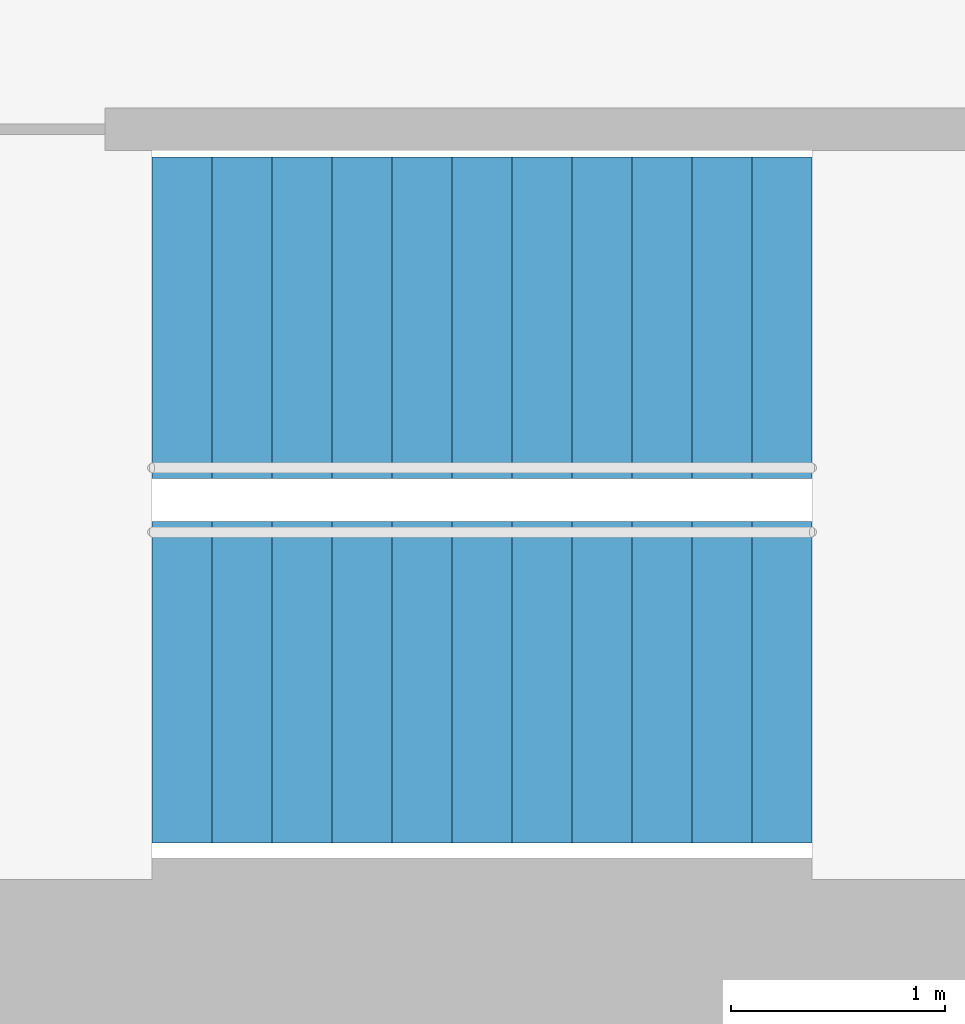
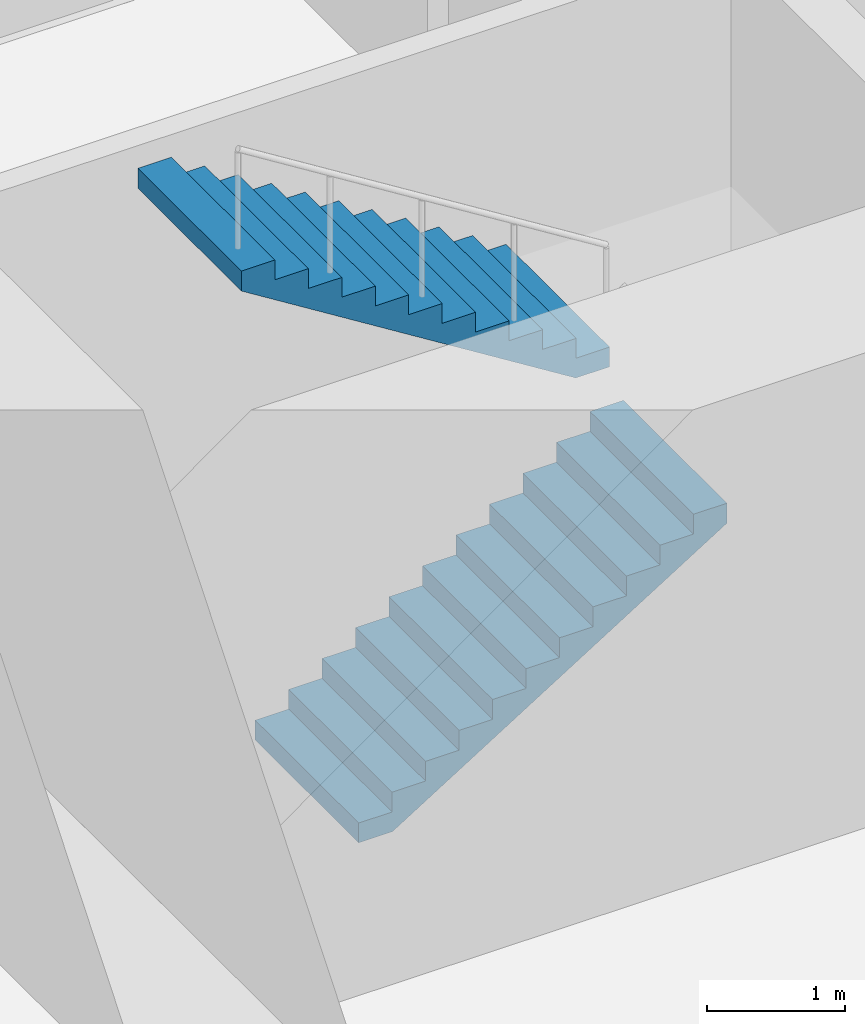
# One storey, part 16 of 18: 2 stair flights, 1 element without a shape of its own.
"""IFC4 building model written with IfcOpenShell, lengths in metres."""

from ifc_helpers import new_model, si_unit, direction, frame, origin, place, context, subcontext, project, spatial, triangles, material, type_object, element, aggregate, save


model = new_model("IFC4")

# Units and contexts
model_context = context("Model", 3, precision=1e-05, world=origin(), true_north=direction((0.0, 1.0)))
body_context = subcontext(model_context, "Body", "Model", "MODEL_VIEW")
ifc_project = project(units=[si_unit("LENGTHUNIT", "METRE"), si_unit("AREAUNIT", "SQUARE_METRE"), si_unit("VOLUMEUNIT", "CUBIC_METRE"), si_unit("PLANEANGLEUNIT", "RADIAN"), si_unit("MASSUNIT", "GRAM", prefix="KILO")], contexts=[model_context])

# Site, building, storey
site_placement = place(None, origin())
site = spatial("IfcSite", under=ifc_project, at=site_placement, CompositionType="ELEMENT")
building_placement = place(site_placement, origin())
building = spatial("IfcBuilding", under=site, at=building_placement, Name="Lantaw Convention Tower", CompositionType="ELEMENT")
storey_placement = place(building_placement, frame((0.0, 0.0, 138.39990234375)))
storey = spatial("IfcBuildingStorey", under=building, at=storey_placement, Name="L32", CompositionType="ELEMENT", Elevation=138.39990234375)

# Stair, stair flights
ifc_material = material(Name="Concrete C35/45", Category="concrete")
stair_type = type_object("IfcStairType", Name="Exit stair 1500 riser 175 in 2 flights", PredefinedType="HALF_TURN_STAIR", material=ifc_material)
stair_placement = place(storey_placement, origin())
stair = element("IfcStair", 1, at=stair_placement, inside=storey, type_object=stair_type, Name="Exit stair S1 L32", PredefinedType="HALF_TURN_STAIR")
stair_flight_type = type_object("IfcStairFlightType", Name="Stair flight 1500 riser 175", PredefinedType="STRAIGHT", material=ifc_material)
stair_flight_1_placement = place(storey_placement, frame((-10.580078125, -5.97998046875, 0.0), z_axis=(0.0, 0.0, 1.0), x_axis=(1.0, 0.0, 0.0)))
stair_flight_1 = element("IfcStairFlight", 2, at=stair_flight_1_placement, type_object=stair_flight_type, Name="S1 flight 1", NumberOfRisers=12, NumberOfTreads=11, PredefinedType="STRAIGHT", RiserHeight=0.175, TreadLength=0.28, context=body_context, shape_type="Tessellation", body=[
    triangles([(0.0, 0.75, 0.0), (0.0, 0.75, 0.175), (0.28, 0.75, 0.0), (0.28, 0.75, 0.175), (0.28, 0.75, 0.35), (0.28283517651771284, 0.75, 0.0), (0.28283517651771284, 0.75, 0.35), (0.56, 0.75, 0.17322801467642948), (0.56, 0.75, 0.35), (0.56, 0.75, 0.5249999999999999), (0.8400000000000001, 0.75, 0.34822801467642944), (0.8400000000000001, 0.75, 0.5249999999999999), (0.8400000000000001, 0.75, 0.7), (1.12, 0.75, 0.5232280146764294), (1.12, 0.75, 0.7), (1.12, 0.75, 0.875), (1.4000000000000001, 0.75, 0.6982280146764295), (1.4000000000000001, 0.75, 0.875), (1.4000000000000001, 0.75, 1.0499999999999998), (1.6800000000000002, 0.75, 0.8732280146764294), (1.6800000000000002, 0.75, 1.0499999999999998), (1.6800000000000002, 0.75, 1.2249999999999999), (1.9600000000000002, 0.75, 1.0482280146764293), (1.9600000000000002, 0.75, 1.2249999999999999), (1.9600000000000002, 0.75, 1.4), (2.24, 0.75, 1.2232280146764294), (2.24, 0.75, 1.4), (2.24, 0.75, 1.575), (2.5200000000000005, 0.75, 1.3982280146764294), (2.5200000000000005, 0.75, 1.575), (2.5200000000000005, 0.75, 1.75), (2.8000000000000003, 0.75, 1.5732280146764293), (2.8000000000000003, 0.75, 1.75), (2.8000000000000003, 0.75, 1.9249999999999998), (3.08, 0.75, 1.7482280146764293), (3.08, 0.75, 1.9249999999999998), (0.0, -0.75, 0.0), (0.0, -0.75, 0.175), (0.28, -0.75, 0.0), (0.28, -0.75, 0.175), (0.28, -0.75, 0.35), (0.28283517651771284, -0.75, 0.0), (0.28283517651771284, -0.75, 0.35), (0.56, -0.75, 0.17322801467642948), (0.56, -0.75, 0.35), (0.56, -0.75, 0.5249999999999999), (0.8400000000000001, -0.75, 0.34822801467642944), (0.8400000000000001, -0.75, 0.5249999999999999), (0.8400000000000001, -0.75, 0.7), (1.12, -0.75, 0.5232280146764294), (1.12, -0.75, 0.7), (1.12, -0.75, 0.875), (1.4000000000000001, -0.75, 0.6982280146764295), (1.4000000000000001, -0.75, 0.875), (1.4000000000000001, -0.75, 1.0499999999999998), (1.6800000000000002, -0.75, 0.8732280146764294), (1.6800000000000002, -0.75, 1.0499999999999998), (1.6800000000000002, -0.75, 1.2249999999999999), (1.9600000000000002, -0.75, 1.0482280146764293), (1.9600000000000002, -0.75, 1.2249999999999999), (1.9600000000000002, -0.75, 1.4), (2.24, -0.75, 1.2232280146764294), (2.24, -0.75, 1.4), (2.24, -0.75, 1.575), (2.5200000000000005, -0.75, 1.3982280146764294), (2.5200000000000005, -0.75, 1.575), (2.5200000000000005, -0.75, 1.75), (2.8000000000000003, -0.75, 1.5732280146764293), (2.8000000000000003, -0.75, 1.75), (2.8000000000000003, -0.75, 1.9249999999999998), (3.08, -0.75, 1.7482280146764293), (3.08, -0.75, 1.9249999999999998), (0.0, 0.15000000000000002, 0.175), (0.0, 0.15000000000000002, 0.0), (0.0, 0.0, 0.175), (0.0, 0.0, 0.0), (0.0, -0.15000000000000002, 0.175), (0.0, -0.15000000000000002, 0.0), (0.28, 0.15000000000000002, 0.35), (0.28, 0.15000000000000002, 0.175), (0.28, 0.0, 0.35), (0.28, 0.0, 0.175), (0.28, -0.15000000000000002, 0.35), (0.28, -0.15000000000000002, 0.175), (0.56, 0.15000000000000002, 0.5249999999999999), (0.56, 0.15000000000000002, 0.35), (0.56, 0.0, 0.5249999999999999), (0.56, 0.0, 0.35), (0.56, -0.15000000000000002, 0.5249999999999999), (0.56, -0.15000000000000002, 0.35), (0.8400000000000001, 0.15000000000000002, 0.7), (0.8400000000000001, 0.15000000000000002, 0.5249999999999999), (0.8400000000000001, 0.0, 0.7), (0.8400000000000001, 0.0, 0.5249999999999999), (0.8400000000000001, -0.15000000000000002, 0.7), (0.8400000000000001, -0.15000000000000002, 0.5249999999999999), (1.12, 0.15000000000000002, 0.875), (1.12, 0.15000000000000002, 0.7), (1.12, 0.0, 0.875), (1.12, 0.0, 0.7), (1.12, -0.15000000000000002, 0.875), (1.12, -0.15000000000000002, 0.7), (1.4000000000000001, 0.15000000000000002, 1.0499999999999998), (1.4000000000000001, 0.15000000000000002, 0.875), (1.4000000000000001, 0.0, 1.0499999999999998), (1.4000000000000001, 0.0, 0.875), (1.4000000000000001, -0.15000000000000002, 1.0499999999999998), (1.4000000000000001, -0.15000000000000002, 0.875), (1.6800000000000002, 0.15000000000000002, 1.2249999999999999), (1.6800000000000002, 0.15000000000000002, 1.0499999999999998), (1.6800000000000002, 0.0, 1.2249999999999999), (1.6800000000000002, 0.0, 1.0499999999999998), (1.6800000000000002, -0.15000000000000002, 1.2249999999999999), (1.6800000000000002, -0.15000000000000002, 1.0499999999999998), (1.9600000000000002, 0.15000000000000002, 1.4), (1.9600000000000002, 0.15000000000000002, 1.2249999999999999), (1.9600000000000002, 0.0, 1.4), (1.9600000000000002, 0.0, 1.2249999999999999), (1.9600000000000002, -0.15000000000000002, 1.4), (1.9600000000000002, -0.15000000000000002, 1.2249999999999999), (2.24, 0.15000000000000002, 1.575), (2.24, 0.15000000000000002, 1.4), (2.24, 0.0, 1.575), (2.24, 0.0, 1.4), (2.24, -0.15000000000000002, 1.575), (2.24, -0.15000000000000002, 1.4), (2.5200000000000005, 0.15000000000000002, 1.75), (2.5200000000000005, 0.15000000000000002, 1.575), (2.5200000000000005, 0.0, 1.75), (2.5200000000000005, 0.0, 1.575), (2.5200000000000005, -0.15000000000000002, 1.75), (2.5200000000000005, -0.15000000000000002, 1.575), (2.8000000000000003, 0.15000000000000002, 1.9249999999999998), (2.8000000000000003, 0.15000000000000002, 1.75), (2.8000000000000003, 0.0, 1.9249999999999998), (2.8000000000000003, 0.0, 1.75), (2.8000000000000003, -0.15000000000000002, 1.9249999999999998), (2.8000000000000003, -0.15000000000000002, 1.75), (0.28283517651771284, 0.15000000000000002, 0.35), (0.28283517651771284, 0.0, 0.35), (0.28283517651771284, -0.15000000000000002, 0.35), (3.08, 0.15000000000000002, 1.9249999999999998), (3.08, 0.0, 1.9249999999999998), (3.08, -0.15000000000000002, 1.9249999999999998), (3.08, 0.15000000000000002, 1.7482280146764293), (3.08, 0.0, 1.7482280146764293), (3.08, -0.15000000000000002, 1.7482280146764293), (2.8000000000000003, 0.15000000000000002, 1.5732280146764293), (2.8000000000000003, 0.0, 1.5732280146764293), (2.8000000000000003, -0.15000000000000002, 1.5732280146764293), (2.5200000000000005, 0.15000000000000002, 1.3982280146764294), (2.5200000000000005, 0.0, 1.3982280146764294), (2.5200000000000005, -0.15000000000000002, 1.3982280146764294), (2.24, 0.15000000000000002, 1.2232280146764294), (2.24, 0.0, 1.2232280146764294), (2.24, -0.15000000000000002, 1.2232280146764294), (1.9600000000000002, 0.15000000000000002, 1.0482280146764293), (1.9600000000000002, 0.0, 1.0482280146764293), (1.9600000000000002, -0.15000000000000002, 1.0482280146764293), (1.6800000000000002, 0.15000000000000002, 0.8732280146764294), (1.6800000000000002, 0.0, 0.8732280146764294), (1.6800000000000002, -0.15000000000000002, 0.8732280146764294), (1.4000000000000001, 0.15000000000000002, 0.6982280146764295), (1.4000000000000001, 0.0, 0.6982280146764295), (1.4000000000000001, -0.15000000000000002, 0.6982280146764295), (1.12, 0.15000000000000002, 0.5232280146764294), (1.12, 0.0, 0.5232280146764294), (1.12, -0.15000000000000002, 0.5232280146764294), (0.8400000000000001, 0.15000000000000002, 0.34822801467642944), (0.8400000000000001, 0.0, 0.34822801467642944), (0.8400000000000001, -0.15000000000000002, 0.34822801467642944), (0.56, 0.15000000000000002, 0.17322801467642948), (0.56, 0.0, 0.17322801467642948), (0.56, -0.15000000000000002, 0.17322801467642948), (0.28283517651771284, 0.15000000000000002, 0.0), (0.28283517651771284, 0.0, 0.0), (0.28283517651771284, -0.15000000000000002, 0.0), (0.28, 0.15000000000000002, 0.0), (0.28, 0.0, 0.0), (0.28, -0.15000000000000002, 0.0)], [[1, 4, 3], [1, 2, 4], [3, 4, 6], [4, 7, 6], [4, 5, 7], [6, 9, 8], [6, 7, 9], [8, 9, 11], [9, 12, 11], [9, 10, 12], [11, 12, 14], [12, 15, 14], [12, 13, 15], [14, 15, 17], [15, 18, 17], [15, 16, 18], [17, 18, 20], [18, 21, 20], [18, 19, 21], [20, 21, 23], [21, 24, 23], [21, 22, 24], [23, 24, 26], [24, 27, 26], [24, 25, 27], [26, 27, 29], [27, 30, 29], [27, 28, 30], [29, 30, 32], [30, 33, 32], [30, 31, 33], [32, 33, 35], [33, 36, 35], [33, 34, 36], [37, 39, 40], [37, 40, 38], [39, 42, 40], [40, 42, 43], [40, 43, 41], [42, 44, 45], [42, 45, 43], [44, 47, 45], [45, 47, 48], [45, 48, 46], [47, 50, 48], [48, 50, 51], [48, 51, 49], [50, 53, 51], [51, 53, 54], [51, 54, 52], [53, 56, 54], [54, 56, 57], [54, 57, 55], [56, 59, 57], [57, 59, 60], [57, 60, 58], [59, 62, 60], [60, 62, 63], [60, 63, 61], [62, 65, 63], [63, 65, 66], [63, 66, 64], [65, 68, 66], [66, 68, 69], [66, 69, 67], [68, 71, 69], [69, 71, 72], [69, 72, 70], [1, 73, 2], [1, 74, 73], [74, 75, 73], [74, 76, 75], [76, 77, 75], [76, 78, 77], [78, 38, 77], [78, 37, 38], [4, 79, 5], [4, 80, 79], [80, 81, 79], [80, 82, 81], [82, 83, 81], [82, 84, 83], [84, 41, 83], [84, 40, 41], [9, 85, 10], [9, 86, 85], [86, 87, 85], [86, 88, 87], [88, 89, 87], [88, 90, 89], [90, 46, 89], [90, 45, 46], [12, 91, 13], [12, 92, 91], [92, 93, 91], [92, 94, 93], [94, 95, 93], [94, 96, 95], [96, 49, 95], [96, 48, 49], [15, 97, 16], [15, 98, 97], [98, 99, 97], [98, 100, 99], [100, 101, 99], [100, 102, 101], [102, 52, 101], [102, 51, 52], [18, 103, 19], [18, 104, 103], [104, 105, 103], [104, 106, 105], [106, 107, 105], [106, 108, 107], [108, 55, 107], [108, 54, 55], [21, 109, 22], [21, 110, 109], [110, 111, 109], [110, 112, 111], [112, 113, 111], [112, 114, 113], [114, 58, 113], [114, 57, 58], [24, 115, 25], [24, 116, 115], [116, 117, 115], [116, 118, 117], [118, 119, 117], [118, 120, 119], [120, 61, 119], [120, 60, 61], [27, 121, 28], [27, 122, 121], [122, 123, 121], [122, 124, 123], [124, 125, 123], [124, 126, 125], [126, 64, 125], [126, 63, 64], [30, 127, 31], [30, 128, 127], [128, 129, 127], [128, 130, 129], [130, 131, 129], [130, 132, 131], [132, 67, 131], [132, 66, 67], [33, 133, 34], [33, 134, 133], [134, 135, 133], [134, 136, 135], [136, 137, 135], [136, 138, 137], [138, 70, 137], [138, 69, 70], [2, 80, 4], [2, 73, 80], [73, 82, 80], [73, 75, 82], [75, 84, 82], [75, 77, 84], [77, 40, 84], [77, 38, 40], [5, 139, 7], [5, 79, 139], [79, 140, 139], [79, 81, 140], [81, 141, 140], [81, 83, 141], [83, 43, 141], [83, 41, 43], [7, 86, 9], [7, 139, 86], [139, 88, 86], [139, 140, 88], [140, 90, 88], [140, 141, 90], [141, 45, 90], [141, 43, 45], [10, 92, 12], [10, 85, 92], [85, 94, 92], [85, 87, 94], [87, 96, 94], [87, 89, 96], [89, 48, 96], [89, 46, 48], [13, 98, 15], [13, 91, 98], [91, 100, 98], [91, 93, 100], [93, 102, 100], [93, 95, 102], [95, 51, 102], [95, 49, 51], [16, 104, 18], [16, 97, 104], [97, 106, 104], [97, 99, 106], [99, 108, 106], [99, 101, 108], [101, 54, 108], [101, 52, 54], [19, 110, 21], [19, 103, 110], [103, 112, 110], [103, 105, 112], [105, 114, 112], [105, 107, 114], [107, 57, 114], [107, 55, 57], [22, 116, 24], [22, 109, 116], [109, 118, 116], [109, 111, 118], [111, 120, 118], [111, 113, 120], [113, 60, 120], [113, 58, 60], [25, 122, 27], [25, 115, 122], [115, 124, 122], [115, 117, 124], [117, 126, 124], [117, 119, 126], [119, 63, 126], [119, 61, 63], [28, 128, 30], [28, 121, 128], [121, 130, 128], [121, 123, 130], [123, 132, 130], [123, 125, 132], [125, 66, 132], [125, 64, 66], [31, 134, 33], [31, 127, 134], [127, 136, 134], [127, 129, 136], [129, 138, 136], [129, 131, 138], [131, 69, 138], [131, 67, 69], [34, 142, 36], [34, 133, 142], [133, 143, 142], [133, 135, 143], [135, 144, 143], [135, 137, 144], [137, 72, 144], [137, 70, 72], [36, 145, 35], [36, 142, 145], [142, 146, 145], [142, 143, 146], [143, 147, 146], [143, 144, 147], [144, 71, 147], [144, 72, 71], [35, 148, 32], [35, 145, 148], [145, 149, 148], [145, 146, 149], [146, 150, 149], [146, 147, 150], [147, 68, 150], [147, 71, 68], [32, 151, 29], [32, 148, 151], [148, 152, 151], [148, 149, 152], [149, 153, 152], [149, 150, 153], [150, 65, 153], [150, 68, 65], [29, 154, 26], [29, 151, 154], [151, 155, 154], [151, 152, 155], [152, 156, 155], [152, 153, 156], [153, 62, 156], [153, 65, 62], [26, 157, 23], [26, 154, 157], [154, 158, 157], [154, 155, 158], [155, 159, 158], [155, 156, 159], [156, 59, 159], [156, 62, 59], [23, 160, 20], [23, 157, 160], [157, 161, 160], [157, 158, 161], [158, 162, 161], [158, 159, 162], [159, 56, 162], [159, 59, 56], [20, 163, 17], [20, 160, 163], [160, 164, 163], [160, 161, 164], [161, 165, 164], [161, 162, 165], [162, 53, 165], [162, 56, 53], [17, 166, 14], [17, 163, 166], [163, 167, 166], [163, 164, 167], [164, 168, 167], [164, 165, 168], [165, 50, 168], [165, 53, 50], [14, 169, 11], [14, 166, 169], [166, 170, 169], [166, 167, 170], [167, 171, 170], [167, 168, 171], [168, 47, 171], [168, 50, 47], [11, 172, 8], [11, 169, 172], [169, 173, 172], [169, 170, 173], [170, 174, 173], [170, 171, 174], [171, 44, 174], [171, 47, 44], [8, 175, 6], [8, 172, 175], [172, 176, 175], [172, 173, 176], [173, 177, 176], [173, 174, 177], [174, 42, 177], [174, 44, 42], [6, 178, 3], [6, 175, 178], [175, 179, 178], [175, 176, 179], [176, 180, 179], [176, 177, 180], [177, 39, 180], [177, 42, 39], [3, 74, 1], [3, 178, 74], [178, 76, 74], [178, 179, 76], [179, 78, 76], [179, 180, 78], [180, 37, 78], [180, 39, 37]], closed=True),
])
stair_flight_2_placement = place(storey_placement, frame((-7.5, -4.280029296875, 2.10009765625), z_axis=(0.0, 0.0, 1.0), x_axis=(-1.0, 0.0, 0.0)))
stair_flight_2 = element("IfcStairFlight", 3, at=stair_flight_2_placement, type_object=stair_flight_type, Name="S1 flight 2", NumberOfRisers=12, NumberOfTreads=11, PredefinedType="STRAIGHT", RiserHeight=0.175, TreadLength=0.28, context=body_context, shape_type="Tessellation", body=[
    triangles([(0.0, 0.75, 0.0), (0.0, 0.75, 0.175), (0.28, 0.75, 0.0), (0.28, 0.75, 0.175), (0.28, 0.75, 0.35), (0.28283517651771284, 0.75, 0.0), (0.28283517651771284, 0.75, 0.35), (0.56, 0.75, 0.17322801467642948), (0.56, 0.75, 0.35), (0.56, 0.75, 0.5249999999999999), (0.8400000000000001, 0.75, 0.34822801467642944), (0.8400000000000001, 0.75, 0.5249999999999999), (0.8400000000000001, 0.75, 0.7), (1.12, 0.75, 0.5232280146764294), (1.12, 0.75, 0.7), (1.12, 0.75, 0.875), (1.4000000000000001, 0.75, 0.6982280146764295), (1.4000000000000001, 0.75, 0.875), (1.4000000000000001, 0.75, 1.0499999999999998), (1.6800000000000002, 0.75, 0.8732280146764294), (1.6800000000000002, 0.75, 1.0499999999999998), (1.6800000000000002, 0.75, 1.2249999999999999), (1.9600000000000002, 0.75, 1.0482280146764293), (1.9600000000000002, 0.75, 1.2249999999999999), (1.9600000000000002, 0.75, 1.4), (2.24, 0.75, 1.2232280146764294), (2.24, 0.75, 1.4), (2.24, 0.75, 1.575), (2.5200000000000005, 0.75, 1.3982280146764294), (2.5200000000000005, 0.75, 1.575), (2.5200000000000005, 0.75, 1.75), (2.8000000000000003, 0.75, 1.5732280146764293), (2.8000000000000003, 0.75, 1.75), (2.8000000000000003, 0.75, 1.9249999999999998), (3.08, 0.75, 1.7482280146764293), (3.08, 0.75, 1.9249999999999998), (0.0, -0.75, 0.0), (0.0, -0.75, 0.175), (0.28, -0.75, 0.0), (0.28, -0.75, 0.175), (0.28, -0.75, 0.35), (0.28283517651771284, -0.75, 0.0), (0.28283517651771284, -0.75, 0.35), (0.56, -0.75, 0.17322801467642948), (0.56, -0.75, 0.35), (0.56, -0.75, 0.5249999999999999), (0.8400000000000001, -0.75, 0.34822801467642944), (0.8400000000000001, -0.75, 0.5249999999999999), (0.8400000000000001, -0.75, 0.7), (1.12, -0.75, 0.5232280146764294), (1.12, -0.75, 0.7), (1.12, -0.75, 0.875), (1.4000000000000001, -0.75, 0.6982280146764295), (1.4000000000000001, -0.75, 0.875), (1.4000000000000001, -0.75, 1.0499999999999998), (1.6800000000000002, -0.75, 0.8732280146764294), (1.6800000000000002, -0.75, 1.0499999999999998), (1.6800000000000002, -0.75, 1.2249999999999999), (1.9600000000000002, -0.75, 1.0482280146764293), (1.9600000000000002, -0.75, 1.2249999999999999), (1.9600000000000002, -0.75, 1.4), (2.24, -0.75, 1.2232280146764294), (2.24, -0.75, 1.4), (2.24, -0.75, 1.575), (2.5200000000000005, -0.75, 1.3982280146764294), (2.5200000000000005, -0.75, 1.575), (2.5200000000000005, -0.75, 1.75), (2.8000000000000003, -0.75, 1.5732280146764293), (2.8000000000000003, -0.75, 1.75), (2.8000000000000003, -0.75, 1.9249999999999998), (3.08, -0.75, 1.7482280146764293), (3.08, -0.75, 1.9249999999999998), (0.0, 0.15000000000000002, 0.175), (0.0, 0.15000000000000002, 0.0), (0.0, 0.0, 0.175), (0.0, 0.0, 0.0), (0.0, -0.15000000000000002, 0.175), (0.0, -0.15000000000000002, 0.0), (0.28, 0.15000000000000002, 0.35), (0.28, 0.15000000000000002, 0.175), (0.28, 0.0, 0.35), (0.28, 0.0, 0.175), (0.28, -0.15000000000000002, 0.35), (0.28, -0.15000000000000002, 0.175), (0.56, 0.15000000000000002, 0.5249999999999999), (0.56, 0.15000000000000002, 0.35), (0.56, 0.0, 0.5249999999999999), (0.56, 0.0, 0.35), (0.56, -0.15000000000000002, 0.5249999999999999), (0.56, -0.15000000000000002, 0.35), (0.8400000000000001, 0.15000000000000002, 0.7), (0.8400000000000001, 0.15000000000000002, 0.5249999999999999), (0.8400000000000001, 0.0, 0.7), (0.8400000000000001, 0.0, 0.5249999999999999), (0.8400000000000001, -0.15000000000000002, 0.7), (0.8400000000000001, -0.15000000000000002, 0.5249999999999999), (1.12, 0.15000000000000002, 0.875), (1.12, 0.15000000000000002, 0.7), (1.12, 0.0, 0.875), (1.12, 0.0, 0.7), (1.12, -0.15000000000000002, 0.875), (1.12, -0.15000000000000002, 0.7), (1.4000000000000001, 0.15000000000000002, 1.0499999999999998), (1.4000000000000001, 0.15000000000000002, 0.875), (1.4000000000000001, 0.0, 1.0499999999999998), (1.4000000000000001, 0.0, 0.875), (1.4000000000000001, -0.15000000000000002, 1.0499999999999998), (1.4000000000000001, -0.15000000000000002, 0.875), (1.6800000000000002, 0.15000000000000002, 1.2249999999999999), (1.6800000000000002, 0.15000000000000002, 1.0499999999999998), (1.6800000000000002, 0.0, 1.2249999999999999), (1.6800000000000002, 0.0, 1.0499999999999998), (1.6800000000000002, -0.15000000000000002, 1.2249999999999999), (1.6800000000000002, -0.15000000000000002, 1.0499999999999998), (1.9600000000000002, 0.15000000000000002, 1.4), (1.9600000000000002, 0.15000000000000002, 1.2249999999999999), (1.9600000000000002, 0.0, 1.4), (1.9600000000000002, 0.0, 1.2249999999999999), (1.9600000000000002, -0.15000000000000002, 1.4), (1.9600000000000002, -0.15000000000000002, 1.2249999999999999), (2.24, 0.15000000000000002, 1.575), (2.24, 0.15000000000000002, 1.4), (2.24, 0.0, 1.575), (2.24, 0.0, 1.4), (2.24, -0.15000000000000002, 1.575), (2.24, -0.15000000000000002, 1.4), (2.5200000000000005, 0.15000000000000002, 1.75), (2.5200000000000005, 0.15000000000000002, 1.575), (2.5200000000000005, 0.0, 1.75), (2.5200000000000005, 0.0, 1.575), (2.5200000000000005, -0.15000000000000002, 1.75), (2.5200000000000005, -0.15000000000000002, 1.575), (2.8000000000000003, 0.15000000000000002, 1.9249999999999998), (2.8000000000000003, 0.15000000000000002, 1.75), (2.8000000000000003, 0.0, 1.9249999999999998), (2.8000000000000003, 0.0, 1.75), (2.8000000000000003, -0.15000000000000002, 1.9249999999999998), (2.8000000000000003, -0.15000000000000002, 1.75), (0.28283517651771284, 0.15000000000000002, 0.35), (0.28283517651771284, 0.0, 0.35), (0.28283517651771284, -0.15000000000000002, 0.35), (3.08, 0.15000000000000002, 1.9249999999999998), (3.08, 0.0, 1.9249999999999998), (3.08, -0.15000000000000002, 1.9249999999999998), (3.08, 0.15000000000000002, 1.7482280146764293), (3.08, 0.0, 1.7482280146764293), (3.08, -0.15000000000000002, 1.7482280146764293), (2.8000000000000003, 0.15000000000000002, 1.5732280146764293), (2.8000000000000003, 0.0, 1.5732280146764293), (2.8000000000000003, -0.15000000000000002, 1.5732280146764293), (2.5200000000000005, 0.15000000000000002, 1.3982280146764294), (2.5200000000000005, 0.0, 1.3982280146764294), (2.5200000000000005, -0.15000000000000002, 1.3982280146764294), (2.24, 0.15000000000000002, 1.2232280146764294), (2.24, 0.0, 1.2232280146764294), (2.24, -0.15000000000000002, 1.2232280146764294), (1.9600000000000002, 0.15000000000000002, 1.0482280146764293), (1.9600000000000002, 0.0, 1.0482280146764293), (1.9600000000000002, -0.15000000000000002, 1.0482280146764293), (1.6800000000000002, 0.15000000000000002, 0.8732280146764294), (1.6800000000000002, 0.0, 0.8732280146764294), (1.6800000000000002, -0.15000000000000002, 0.8732280146764294), (1.4000000000000001, 0.15000000000000002, 0.6982280146764295), (1.4000000000000001, 0.0, 0.6982280146764295), (1.4000000000000001, -0.15000000000000002, 0.6982280146764295), (1.12, 0.15000000000000002, 0.5232280146764294), (1.12, 0.0, 0.5232280146764294), (1.12, -0.15000000000000002, 0.5232280146764294), (0.8400000000000001, 0.15000000000000002, 0.34822801467642944), (0.8400000000000001, 0.0, 0.34822801467642944), (0.8400000000000001, -0.15000000000000002, 0.34822801467642944), (0.56, 0.15000000000000002, 0.17322801467642948), (0.56, 0.0, 0.17322801467642948), (0.56, -0.15000000000000002, 0.17322801467642948), (0.28283517651771284, 0.15000000000000002, 0.0), (0.28283517651771284, 0.0, 0.0), (0.28283517651771284, -0.15000000000000002, 0.0), (0.28, 0.15000000000000002, 0.0), (0.28, 0.0, 0.0), (0.28, -0.15000000000000002, 0.0)], [[1, 4, 3], [1, 2, 4], [3, 4, 6], [4, 7, 6], [4, 5, 7], [6, 9, 8], [6, 7, 9], [8, 9, 11], [9, 12, 11], [9, 10, 12], [11, 12, 14], [12, 15, 14], [12, 13, 15], [14, 15, 17], [15, 18, 17], [15, 16, 18], [17, 18, 20], [18, 21, 20], [18, 19, 21], [20, 21, 23], [21, 24, 23], [21, 22, 24], [23, 24, 26], [24, 27, 26], [24, 25, 27], [26, 27, 29], [27, 30, 29], [27, 28, 30], [29, 30, 32], [30, 33, 32], [30, 31, 33], [32, 33, 35], [33, 36, 35], [33, 34, 36], [37, 39, 40], [37, 40, 38], [39, 42, 40], [40, 42, 43], [40, 43, 41], [42, 44, 45], [42, 45, 43], [44, 47, 45], [45, 47, 48], [45, 48, 46], [47, 50, 48], [48, 50, 51], [48, 51, 49], [50, 53, 51], [51, 53, 54], [51, 54, 52], [53, 56, 54], [54, 56, 57], [54, 57, 55], [56, 59, 57], [57, 59, 60], [57, 60, 58], [59, 62, 60], [60, 62, 63], [60, 63, 61], [62, 65, 63], [63, 65, 66], [63, 66, 64], [65, 68, 66], [66, 68, 69], [66, 69, 67], [68, 71, 69], [69, 71, 72], [69, 72, 70], [1, 73, 2], [1, 74, 73], [74, 75, 73], [74, 76, 75], [76, 77, 75], [76, 78, 77], [78, 38, 77], [78, 37, 38], [4, 79, 5], [4, 80, 79], [80, 81, 79], [80, 82, 81], [82, 83, 81], [82, 84, 83], [84, 41, 83], [84, 40, 41], [9, 85, 10], [9, 86, 85], [86, 87, 85], [86, 88, 87], [88, 89, 87], [88, 90, 89], [90, 46, 89], [90, 45, 46], [12, 91, 13], [12, 92, 91], [92, 93, 91], [92, 94, 93], [94, 95, 93], [94, 96, 95], [96, 49, 95], [96, 48, 49], [15, 97, 16], [15, 98, 97], [98, 99, 97], [98, 100, 99], [100, 101, 99], [100, 102, 101], [102, 52, 101], [102, 51, 52], [18, 103, 19], [18, 104, 103], [104, 105, 103], [104, 106, 105], [106, 107, 105], [106, 108, 107], [108, 55, 107], [108, 54, 55], [21, 109, 22], [21, 110, 109], [110, 111, 109], [110, 112, 111], [112, 113, 111], [112, 114, 113], [114, 58, 113], [114, 57, 58], [24, 115, 25], [24, 116, 115], [116, 117, 115], [116, 118, 117], [118, 119, 117], [118, 120, 119], [120, 61, 119], [120, 60, 61], [27, 121, 28], [27, 122, 121], [122, 123, 121], [122, 124, 123], [124, 125, 123], [124, 126, 125], [126, 64, 125], [126, 63, 64], [30, 127, 31], [30, 128, 127], [128, 129, 127], [128, 130, 129], [130, 131, 129], [130, 132, 131], [132, 67, 131], [132, 66, 67], [33, 133, 34], [33, 134, 133], [134, 135, 133], [134, 136, 135], [136, 137, 135], [136, 138, 137], [138, 70, 137], [138, 69, 70], [2, 80, 4], [2, 73, 80], [73, 82, 80], [73, 75, 82], [75, 84, 82], [75, 77, 84], [77, 40, 84], [77, 38, 40], [5, 139, 7], [5, 79, 139], [79, 140, 139], [79, 81, 140], [81, 141, 140], [81, 83, 141], [83, 43, 141], [83, 41, 43], [7, 86, 9], [7, 139, 86], [139, 88, 86], [139, 140, 88], [140, 90, 88], [140, 141, 90], [141, 45, 90], [141, 43, 45], [10, 92, 12], [10, 85, 92], [85, 94, 92], [85, 87, 94], [87, 96, 94], [87, 89, 96], [89, 48, 96], [89, 46, 48], [13, 98, 15], [13, 91, 98], [91, 100, 98], [91, 93, 100], [93, 102, 100], [93, 95, 102], [95, 51, 102], [95, 49, 51], [16, 104, 18], [16, 97, 104], [97, 106, 104], [97, 99, 106], [99, 108, 106], [99, 101, 108], [101, 54, 108], [101, 52, 54], [19, 110, 21], [19, 103, 110], [103, 112, 110], [103, 105, 112], [105, 114, 112], [105, 107, 114], [107, 57, 114], [107, 55, 57], [22, 116, 24], [22, 109, 116], [109, 118, 116], [109, 111, 118], [111, 120, 118], [111, 113, 120], [113, 60, 120], [113, 58, 60], [25, 122, 27], [25, 115, 122], [115, 124, 122], [115, 117, 124], [117, 126, 124], [117, 119, 126], [119, 63, 126], [119, 61, 63], [28, 128, 30], [28, 121, 128], [121, 130, 128], [121, 123, 130], [123, 132, 130], [123, 125, 132], [125, 66, 132], [125, 64, 66], [31, 134, 33], [31, 127, 134], [127, 136, 134], [127, 129, 136], [129, 138, 136], [129, 131, 138], [131, 69, 138], [131, 67, 69], [34, 142, 36], [34, 133, 142], [133, 143, 142], [133, 135, 143], [135, 144, 143], [135, 137, 144], [137, 72, 144], [137, 70, 72], [36, 145, 35], [36, 142, 145], [142, 146, 145], [142, 143, 146], [143, 147, 146], [143, 144, 147], [144, 71, 147], [144, 72, 71], [35, 148, 32], [35, 145, 148], [145, 149, 148], [145, 146, 149], [146, 150, 149], [146, 147, 150], [147, 68, 150], [147, 71, 68], [32, 151, 29], [32, 148, 151], [148, 152, 151], [148, 149, 152], [149, 153, 152], [149, 150, 153], [150, 65, 153], [150, 68, 65], [29, 154, 26], [29, 151, 154], [151, 155, 154], [151, 152, 155], [152, 156, 155], [152, 153, 156], [153, 62, 156], [153, 65, 62], [26, 157, 23], [26, 154, 157], [154, 158, 157], [154, 155, 158], [155, 159, 158], [155, 156, 159], [156, 59, 159], [156, 62, 59], [23, 160, 20], [23, 157, 160], [157, 161, 160], [157, 158, 161], [158, 162, 161], [158, 159, 162], [159, 56, 162], [159, 59, 56], [20, 163, 17], [20, 160, 163], [160, 164, 163], [160, 161, 164], [161, 165, 164], [161, 162, 165], [162, 53, 165], [162, 56, 53], [17, 166, 14], [17, 163, 166], [163, 167, 166], [163, 164, 167], [164, 168, 167], [164, 165, 168], [165, 50, 168], [165, 53, 50], [14, 169, 11], [14, 166, 169], [166, 170, 169], [166, 167, 170], [167, 171, 170], [167, 168, 171], [168, 47, 171], [168, 50, 47], [11, 172, 8], [11, 169, 172], [169, 173, 172], [169, 170, 173], [170, 174, 173], [170, 171, 174], [171, 44, 174], [171, 47, 44], [8, 175, 6], [8, 172, 175], [172, 176, 175], [172, 173, 176], [173, 177, 176], [173, 174, 177], [174, 42, 177], [174, 44, 42], [6, 178, 3], [6, 175, 178], [175, 179, 178], [175, 176, 179], [176, 180, 179], [176, 177, 180], [177, 39, 180], [177, 42, 39], [3, 74, 1], [3, 178, 74], [178, 76, 74], [178, 179, 76], [179, 78, 76], [179, 180, 78], [180, 37, 78], [180, 39, 37]], closed=True),
])
aggregate(stair, [stair_flight_1, stair_flight_2])

save(model, "model.ifc")
